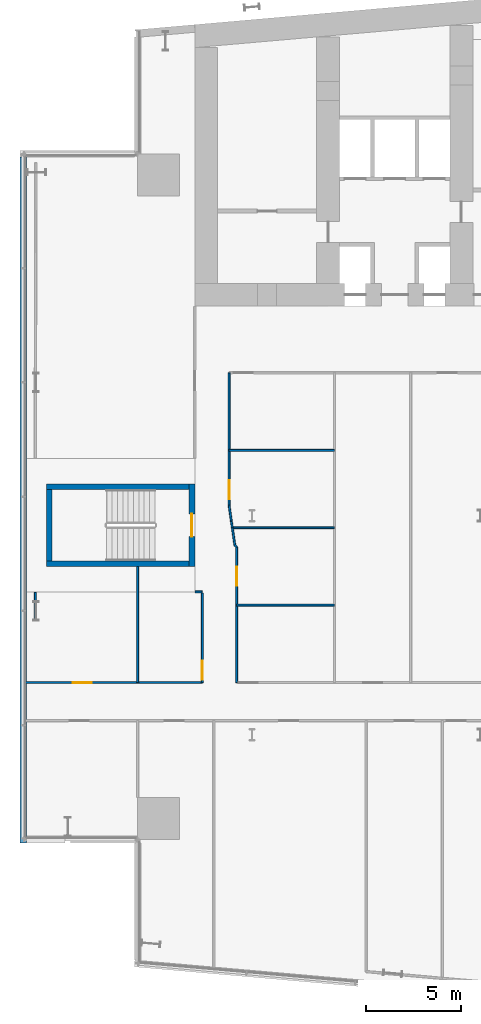
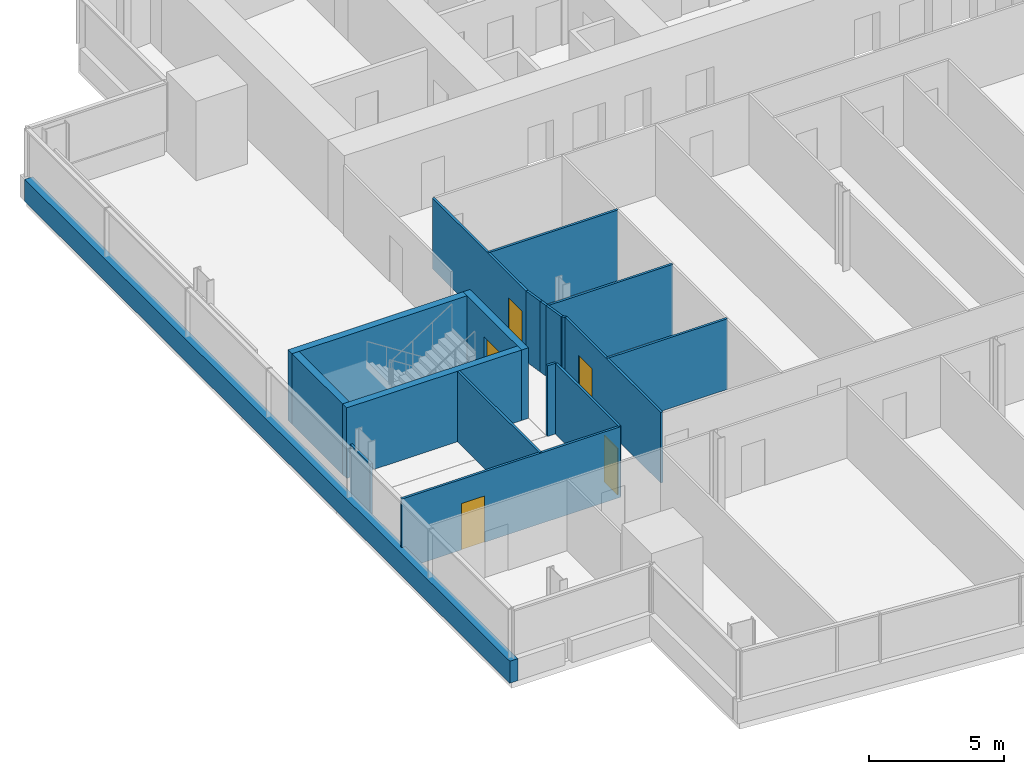
# One storey, part 12 of 24: 19 walls, 5 doors, 5 openings.
"""IFC4 building model written with IfcOpenShell, lengths in metres."""

from ifc_helpers import new_model, si_unit, direction, frame, frame_2d, origin, place, context, subcontext, project, spatial, rectangle, extrude, material, layer, layer_set, type_object, element, fill, save


model = new_model("IFC4")

# Units and contexts
model_context = context("Model", 3, precision=1e-05, world=origin(), true_north=direction((0.0, 1.0)))
body_context = subcontext(model_context, "Body", "Model", "MODEL_VIEW")
ifc_project = project(units=[si_unit("LENGTHUNIT", "METRE"), si_unit("AREAUNIT", "SQUARE_METRE"), si_unit("VOLUMEUNIT", "CUBIC_METRE"), si_unit("PLANEANGLEUNIT", "RADIAN"), si_unit("MASSUNIT", "GRAM", prefix="KILO")], contexts=[model_context])

# Site, building, storey
site_placement = place(None, origin())
site = spatial("IfcSite", under=ifc_project, at=site_placement, CompositionType="ELEMENT")
building_placement = place(site_placement, origin())
building = spatial("IfcBuilding", under=site, at=building_placement, Name="Wharfspan Tower", CompositionType="ELEMENT")
storey_placement = place(building_placement, frame((0.0, 0.0, 41.5)))
storey = spatial("IfcBuildingStorey", under=building, at=storey_placement, Name="L06", CompositionType="ELEMENT", Elevation=41.5)

# Wall, opening, door
ifc_material_1 = material(Name="Gypsum board on steel studs", Category="steel")
ifc_layer_1 = layer(ifc_material_1, 0.100098)
ifc_layer_set_1 = layer_set([ifc_layer_1], Name="Gypsum board on steel studs")
wall_type_1 = type_object("IfcWallType", Name="Compartment wall 100 EI 60", PredefinedType="PARTITIONING", material=ifc_layer_set_1)
wall_1_placement = place(storey_placement, frame((0.02002, 14.23999, 0.0), z_axis=(0.0, 0.0, 1.0), x_axis=(1.0, 0.0, 0.0)))
wall_1 = element("IfcWall", 1, at=wall_1_placement, inside=storey, type_object=wall_type_1, Name="Partition L06.w002", PredefinedType="PARTITIONING", context=body_context, shape_type="SweptSolid", body=[
    extrude(rectangle(XDim=9.379883, YDim=0.100098, at=frame_2d((4.689941, 0.0))), origin(), (0.0, 0.0, 1.0), 3.199951),
])
opening_1_placement = place(wall_1_placement, frame((2.560059, 0.0, 0.0)))
opening_1 = element("IfcOpeningElement", 2, at=opening_1_placement, cuts=wall_1, Name="Opening A1-10", PredefinedType="OPENING", context=body_context, shape_type="SweptSolid", body=[
    extrude(rectangle(XDim=1.0, YDim=2.100098, at=frame_2d((0.5, 1.050049))), frame((0.0, 0.060059, 0.0), z_axis=(0.0, -1.0, 0.0), x_axis=(1.0, 0.0, 0.0)), (0.0, 0.0, 1.0), 0.120117),
])
ifc_material_2 = material(Name="Fire-rated timber door leaf in steel frame", Category="steel")
door_type_1 = type_object("IfcDoorType", Name="Door 1000 FD30S Left", OperationType="SINGLE_SWING_LEFT", PredefinedType="DOOR", material=ifc_material_2)
door_1_placement = place(opening_1_placement, origin())
door_1 = element("IfcDoor", 3, at=door_1_placement, inside=storey, type_object=door_type_1, Name="Door A1-10", OperationType="SINGLE_SWING_LEFT", OverallHeight=2.100098, OverallWidth=1.0, PredefinedType="DOOR", context=body_context, shape_type="SweptSolid", body=[
    extrude(rectangle(XDim=1.0, YDim=2.100098, at=frame_2d((0.5, 1.050049))), frame((0.0, 0.024902, 0.0), z_axis=(0.0, -1.0, 0.0), x_axis=(1.0, 0.0, 0.0)), (0.0, 0.0, 1.0), 0.050049),
])
fill(opening_1, door_1)

# Walls
wall_2_placement = place(storey_placement, frame((6.0, 14.23999, 0.0), z_axis=(0.0, 0.0, 1.0), x_axis=(0.0, 1.0, 0.0)))
element("IfcWall", 4, at=wall_2_placement, inside=storey, type_object=wall_type_1, Name="Partition L06.w007", PredefinedType="PARTITIONING", context=body_context, shape_type="SweptSolid", body=[
    extrude(rectangle(XDim=6.084961, YDim=0.100098, at=frame_2d((3.04248, 0.0))), origin(), (0.0, 0.0, 1.0), 3.199951),
])
wall_3_placement = place(storey_placement, frame((9.02002, 19.0, 0.0), z_axis=(0.0, 0.0, 1.0), x_axis=(1.0, 0.0, 0.0)))
element("IfcWall", 5, at=wall_3_placement, inside=storey, type_object=wall_type_1, Name="Partition L06.w009", PredefinedType="PARTITIONING", context=body_context, shape_type="SweptSolid", body=[
    extrude(rectangle(XDim=0.369873, YDim=0.100098, at=frame_2d((0.185059, 0.0))), origin(), (0.0, 0.0, 1.0), 3.199951),
])

# Wall, opening, door
wall_4_placement = place(storey_placement, frame((9.399902, 14.23999, 0.0), z_axis=(0.0, 0.0, 1.0), x_axis=(0.0, 1.0, 0.0)))
wall_4 = element("IfcWall", 6, at=wall_4_placement, inside=storey, type_object=wall_type_1, Name="Partition L06.w010", PredefinedType="PARTITIONING", context=body_context, shape_type="SweptSolid", body=[
    extrude(rectangle(XDim=4.689941, YDim=0.100098, at=frame_2d((2.344971, 0.0))), origin(), (0.0, 0.0, 1.0), 3.199951),
])
opening_2_placement = place(wall_4_placement, frame((0.140381, 0.0, 0.0)))
opening_2 = element("IfcOpeningElement", 7, at=opening_2_placement, cuts=wall_4, Name="Opening A1-19", PredefinedType="OPENING", context=body_context, shape_type="SweptSolid", body=[
    extrude(rectangle(XDim=1.0, YDim=2.100098, at=frame_2d((0.5, 1.050049))), frame((0.0, 0.060059, 0.0), z_axis=(0.0, -1.0, 0.0), x_axis=(1.0, 0.0, 0.0)), (0.0, 0.0, 1.0), 0.120117),
])
door_2_placement = place(opening_2_placement, origin())
door_2 = element("IfcDoor", 8, at=door_2_placement, inside=storey, type_object=door_type_1, Name="Door A1-19", OperationType="SINGLE_SWING_LEFT", OverallHeight=2.100098, OverallWidth=1.0, PredefinedType="DOOR", context=body_context, shape_type="SweptSolid", body=[
    extrude(rectangle(XDim=1.0, YDim=2.100098, at=frame_2d((0.5, 1.050049))), frame((0.0, 0.024902, 0.0), z_axis=(0.0, -1.0, 0.0), x_axis=(1.0, 0.0, 0.0)), (0.0, 0.0, 1.0), 0.050049),
])
fill(opening_2, door_2)

wall_5_placement = place(storey_placement, frame((10.800049, 23.550049, 0.0), z_axis=(0.0, 0.0, 1.0), x_axis=(0.0, 1.0, 0.0)))
wall_5 = element("IfcWall", 9, at=wall_5_placement, inside=storey, type_object=wall_type_1, Name="Partition L06.w012", PredefinedType="PARTITIONING", context=body_context, shape_type="SweptSolid", body=[
    extrude(rectangle(XDim=6.949951, YDim=0.100098, at=frame_2d((3.475098, 0.0))), origin(), (0.0, 0.0, 1.0), 3.199951),
])
opening_3_placement = place(wall_5_placement, frame((0.307861, 0.0, 0.0)))
opening_3 = element("IfcOpeningElement", 10, at=opening_3_placement, cuts=wall_5, Name="Opening A1-21", PredefinedType="OPENING", context=body_context, shape_type="SweptSolid", body=[
    extrude(rectangle(XDim=1.0, YDim=2.100098, at=frame_2d((0.5, 1.050049))), frame((0.0, 0.060059, 0.0), z_axis=(0.0, -1.0, 0.0), x_axis=(1.0, 0.0, 0.0)), (0.0, 0.0, 1.0), 0.120117),
])
door_3_placement = place(opening_3_placement, origin())
door_3 = element("IfcDoor", 11, at=door_3_placement, inside=storey, type_object=door_type_1, Name="Door A1-21", OperationType="SINGLE_SWING_LEFT", OverallHeight=2.100098, OverallWidth=1.0, PredefinedType="DOOR", context=body_context, shape_type="SweptSolid", body=[
    extrude(rectangle(XDim=1.0, YDim=2.100098, at=frame_2d((0.5, 1.050049))), frame((0.0, 0.024902, 0.0), z_axis=(0.0, -1.0, 0.0), x_axis=(1.0, 0.0, 0.0)), (0.0, 0.0, 1.0), 0.050049),
])
fill(opening_3, door_3)

# Walls
wall_6_placement = place(storey_placement, frame((10.800049, 26.435059, 0.0), z_axis=(0.0, 0.0, 1.0), x_axis=(1.0, 0.0, 0.0)))
element("IfcWall", 12, at=wall_6_placement, inside=storey, type_object=wall_type_1, Name="Partition L06.w013", PredefinedType="PARTITIONING", context=body_context, shape_type="SweptSolid", body=[
    extrude(rectangle(XDim=5.534912, YDim=0.100098, at=frame_2d((2.767578, 0.0))), origin(), (0.0, 0.0, 1.0), 3.199951),
])
wall_7_placement = place(storey_placement, frame((10.919922, 22.705078, 0.0), z_axis=(0.0, 0.0, 1.0), x_axis=(-0.14046, 0.990086, 0.0)))
element("IfcWall", 13, at=wall_7_placement, inside=storey, type_object=wall_type_1, Name="Partition L06.w015", PredefinedType="PARTITIONING", context=body_context, shape_type="SweptSolid", body=[
    extrude(rectangle(XDim=0.853516, YDim=0.100098, at=frame_2d((0.426758, 0.0))), origin(), (0.0, 0.0, 1.0), 3.199951),
])
wall_8_placement = place(storey_placement, frame((10.969971, 22.370117, 0.0), z_axis=(0.0, 0.0, 1.0), x_axis=(-0.147776, 0.989018, 0.0)))
element("IfcWall", 14, at=wall_8_placement, inside=storey, type_object=wall_type_1, Name="Partition L06.w016", PredefinedType="PARTITIONING", context=body_context, shape_type="SweptSolid", body=[
    extrude(rectangle(XDim=0.338623, YDim=0.100098, at=frame_2d((0.169434, 0.0))), origin(), (0.0, 0.0, 1.0), 3.199951),
])
wall_9_placement = place(storey_placement, frame((10.969971, 22.370117, 0.0), z_axis=(0.0, 0.0, 1.0), x_axis=(1.0, 0.0, 0.0)))
element("IfcWall", 15, at=wall_9_placement, inside=storey, type_object=wall_type_1, Name="Partition L06.w017", PredefinedType="PARTITIONING", context=body_context, shape_type="SweptSolid", body=[
    extrude(rectangle(XDim=5.36499, YDim=0.100098, at=frame_2d((2.682617, 0.0))), origin(), (0.0, 0.0, 1.0), 3.199951),
])
wall_10_placement = place(storey_placement, frame((11.100098, 21.465088, 0.0), z_axis=(0.0, 0.0, 1.0), x_axis=(-0.142318, 0.989818, 0.0)))
element("IfcWall", 16, at=wall_10_placement, inside=storey, type_object=wall_type_1, Name="Partition L06.w018", PredefinedType="PARTITIONING", context=body_context, shape_type="SweptSolid", body=[
    extrude(rectangle(XDim=0.914307, YDim=0.100098, at=frame_2d((0.457031, 0.0))), origin(), (0.0, 0.0, 1.0), 3.199951),
])

# Wall, opening, door
wall_11_placement = place(storey_placement, frame((11.199951, 14.23999, 0.0), z_axis=(0.0, 0.0, 1.0), x_axis=(0.0, 1.0, 0.0)))
wall_11 = element("IfcWall", 17, at=wall_11_placement, inside=storey, type_object=wall_type_1, Name="Partition L06.w019", PredefinedType="PARTITIONING", context=body_context, shape_type="SweptSolid", body=[
    extrude(rectangle(XDim=7.110107, YDim=0.100098, at=frame_2d((3.555176, 0.0))), origin(), (0.0, 0.0, 1.0), 3.199951),
])
opening_4_placement = place(wall_11_placement, frame((5.084961, 0.0, 0.0)))
opening_4 = element("IfcOpeningElement", 18, at=opening_4_placement, cuts=wall_11, Name="Opening A1-20", PredefinedType="OPENING", context=body_context, shape_type="SweptSolid", body=[
    extrude(rectangle(XDim=1.0, YDim=2.100098, at=frame_2d((0.5, 1.050049))), frame((0.0, 0.060059, 0.0), z_axis=(0.0, -1.0, 0.0), x_axis=(1.0, 0.0, 0.0)), (0.0, 0.0, 1.0), 0.120117),
])
door_type_2 = type_object("IfcDoorType", Name="Door 1000 FD30S Right", OperationType="SINGLE_SWING_RIGHT", PredefinedType="DOOR", material=ifc_material_2)
door_4_placement = place(opening_4_placement, origin())
door_4 = element("IfcDoor", 19, at=door_4_placement, inside=storey, type_object=door_type_2, Name="Door A1-20", OperationType="SINGLE_SWING_RIGHT", OverallHeight=2.100098, OverallWidth=1.0, PredefinedType="DOOR", context=body_context, shape_type="SweptSolid", body=[
    extrude(rectangle(XDim=1.0, YDim=2.100098, at=frame_2d((0.5, 1.050049))), frame((0.0, 0.024902, 0.0), z_axis=(0.0, -1.0, 0.0), x_axis=(1.0, 0.0, 0.0)), (0.0, 0.0, 1.0), 0.050049),
])
fill(opening_4, door_4)

# Walls
wall_12_placement = place(storey_placement, frame((11.199951, 18.304932, 0.0), z_axis=(0.0, 0.0, 1.0), x_axis=(1.0, 0.0, 0.0)))
element("IfcWall", 20, at=wall_12_placement, inside=storey, type_object=wall_type_1, Name="Partition L06.w021", PredefinedType="PARTITIONING", context=body_context, shape_type="SweptSolid", body=[
    extrude(rectangle(XDim=5.13501, YDim=0.100098, at=frame_2d((2.567383, 0.0))), origin(), (0.0, 0.0, 1.0), 3.199951),
])
wall_13_placement = place(storey_placement, frame((11.199951, 21.350098, 0.0), z_axis=(0.0, 0.0, 1.0), x_axis=(-0.65566, 0.755051, 0.0)))
element("IfcWall", 21, at=wall_13_placement, inside=storey, type_object=wall_type_1, Name="Partition L06.w022", PredefinedType="PARTITIONING", context=body_context, shape_type="SweptSolid", body=[
    extrude(rectangle(XDim=0.152344, YDim=0.100098, at=frame_2d((0.076172, 0.0))), origin(), (0.0, 0.0, 1.0), 3.199951),
])
ifc_layer_2 = layer(ifc_material_1, 0.100098)
ifc_layer_set_2 = layer_set([ifc_layer_2], Name="Gypsum board on steel studs")
wall_type_2 = type_object("IfcWallType", Name="Partition 100", PredefinedType="PARTITIONING", material=ifc_layer_set_2)
wall_14_placement = place(storey_placement, frame((0.629883, 17.5, 0.0), z_axis=(0.0, 0.0, 1.0), x_axis=(0.0, 1.0, 0.0)))
element("IfcWall", 22, at=wall_14_placement, inside=storey, type_object=wall_type_2, Name="Partition L06.w003", PredefinedType="PARTITIONING", context=body_context, shape_type="SweptSolid", body=[
    extrude(rectangle(XDim=1.47998, YDim=0.100098, at=frame_2d((0.73999, 0.0))), origin(), (0.0, 0.0, 1.0), 2.580078),
])
ifc_material_3 = material(Name="Concrete C40/50", Category="concrete")
ifc_layer_3 = layer(ifc_material_3, 0.350098)
ifc_layer_set_3 = layer_set([ifc_layer_3], Name="Concrete C40/50")
wall_type_3 = type_object("IfcWallType", Name="SPANDREL EXPOSED CONCRETE 350", PredefinedType="SOLIDWALL", material=ifc_layer_set_3)
wall_15_placement = place(storey_placement, frame((-0.004883, 41.830078, 0.0), z_axis=(0.0, 0.0, 1.0), x_axis=(0.0, -1.0, 0.0)))
element("IfcWall", 23, at=wall_15_placement, inside=storey, type_object=wall_type_3, Name="Spandrel upstand L06 W", PredefinedType="SOLIDWALL", context=body_context, shape_type="SweptSolid", body=[
    extrude(rectangle(XDim=36.01001, YDim=0.350098, at=frame_2d((18.004883, 0.0))), origin(), (0.0, 0.0, 1.0), 1.0),
])

# Wall, opening, door
ifc_layer_4 = layer(ifc_material_3, 0.300049)
ifc_layer_set_4 = layer_set([ifc_layer_4], Name="Concrete C40/50")
wall_type_4 = type_object("IfcWallType", Name="Stair core wall 300", PredefinedType="SHEAR", material=ifc_layer_set_4)
wall_16_placement = place(storey_placement, frame((8.850098, 20.324951, 0.0), z_axis=(0.0, 0.0, 1.0), x_axis=(0.0, 1.0, 0.0)))
wall_16 = element("IfcWall", 24, at=wall_16_placement, inside=storey, type_object=wall_type_4, Name="ST3 stair enclosure wall L06", PredefinedType="SHEAR", context=body_context, shape_type="SweptSolid", body=[
    extrude(rectangle(XDim=4.350098, YDim=0.300049, at=frame_2d((2.175049, 0.0))), origin(), (0.0, 0.0, 1.0), 3.199951),
])
opening_5_placement = place(wall_16_placement, frame((1.574951, 0.0, 0.0)))
opening_5 = element("IfcOpeningElement", 25, at=opening_5_placement, cuts=wall_16, Name="Opening SD3.L06", PredefinedType="OPENING", context=body_context, shape_type="SweptSolid", body=[
    extrude(rectangle(XDim=1.199951, YDim=2.100098, at=frame_2d((0.600098, 1.050049))), frame((0.0, 0.159912, 0.0), z_axis=(0.0, -1.0, 0.0), x_axis=(1.0, 0.0, 0.0)), (0.0, 0.0, 1.0), 0.320068),
])
ifc_material_4 = material(Name="Steel door leaf", Category="steel")
door_type_3 = type_object("IfcDoorType", Name="Stair door 1200x2100", OperationType="SINGLE_SWING_LEFT", PredefinedType="DOOR", material=ifc_material_4)
door_5_placement = place(opening_5_placement, origin())
door_5 = element("IfcDoor", 26, at=door_5_placement, inside=storey, type_object=door_type_3, Name="sd:L06:ST3z1", OperationType="SINGLE_SWING_RIGHT", OverallHeight=2.100098, OverallWidth=1.199951, PredefinedType="DOOR", context=body_context, shape_type="SweptSolid", body=[
    extrude(rectangle(XDim=1.199951, YDim=2.100098, at=frame_2d((0.600098, 1.050049))), frame((0.0, 0.024902, 0.0), z_axis=(0.0, -1.0, 0.0), x_axis=(1.0, 0.0, 0.0)), (0.0, 0.0, 1.0), 0.050049),
])
fill(opening_5, door_5)

# Walls
for number, where, z_axis, x_axis, name in (
    (27, (1.199951, 20.475098, 0.0), (0.0, 0.0, 1.0), (1.0, 0.0, 0.0), "ST3 stair enclosure wall L06"),
    (28, (1.199951, 24.524902, 0.0), (0.0, 0.0, 1.0), (1.0, 0.0, 0.0), "ST3 stair enclosure wall L06"),
):
    element("IfcWall", number, at=place(storey_placement, frame(where, z_axis=z_axis, x_axis=x_axis)), inside=storey, type_object=wall_type_4, Name=name, PredefinedType="SHEAR", context=body_context, shape_type="SweptSolid", body=[
        extrude(rectangle(XDim=7.5, YDim=0.300049, at=frame_2d((3.75, 0.0))), origin(), (0.0, 0.0, 1.0), 3.199951),
    ])
wall_17_placement = place(storey_placement, frame((1.350098, 20.625, 0.0), z_axis=(0.0, 0.0, 1.0), x_axis=(0.0, 1.0, 0.0)))
element("IfcWall", 29, at=wall_17_placement, inside=storey, type_object=wall_type_4, Name="ST3 stair enclosure wall L06", PredefinedType="SHEAR", context=body_context, shape_type="SweptSolid", body=[
    extrude(rectangle(XDim=3.75, YDim=0.300049, at=frame_2d((1.875, 0.0))), origin(), (0.0, 0.0, 1.0), 3.199951),
])

save(model, "model.ifc")
